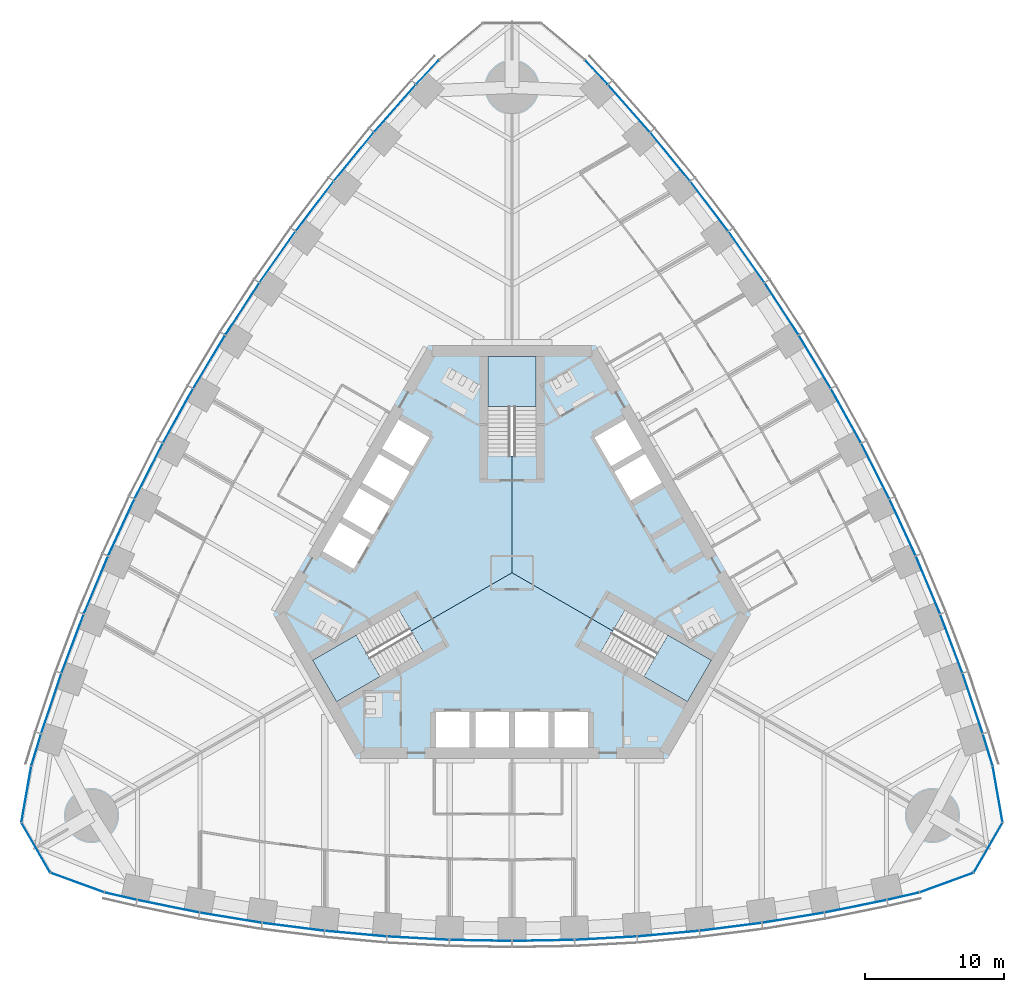
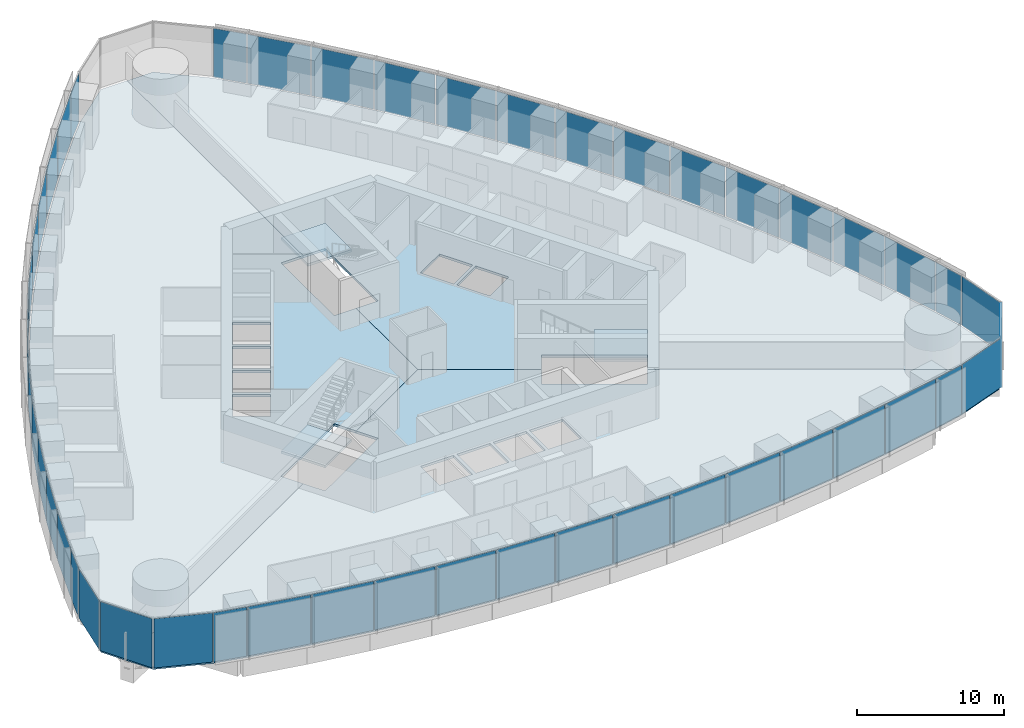
# One storey, part 9 of 18: 48 plates, 6 slabs, 8 elements without a shape of their own.
"""IFC4 building model written with IfcOpenShell, lengths in metres."""

from ifc_helpers import new_model, si_unit, direction, frame, origin, origin_2d, place, context, subcontext, project, spatial, polyline, rectangle, outline, extrude, material, layer, layer_set, type_object, element, aggregate, save


model = new_model("IFC4")

# Units and contexts
model_context = context("Model", 3, precision=1e-05, world=origin(), true_north=direction((0.0, 1.0)))
body_context = subcontext(model_context, "Body", "Model", "MODEL_VIEW")
ifc_project = project(units=[si_unit("LENGTHUNIT", "METRE"), si_unit("AREAUNIT", "SQUARE_METRE"), si_unit("VOLUMEUNIT", "CUBIC_METRE"), si_unit("PLANEANGLEUNIT", "RADIAN"), si_unit("MASSUNIT", "GRAM", prefix="KILO")], contexts=[model_context])

# Site, building, storey
site_placement = place(None, origin())
site = spatial("IfcSite", under=ifc_project, at=site_placement, CompositionType="ELEMENT")
building_placement = place(site_placement, origin())
building = spatial("IfcBuilding", under=site, at=building_placement, Name="Trefoil Bronze Tower", CompositionType="ELEMENT")
storey_placement = place(building_placement, frame((0.0, 0.0, 157.699951171875)))
storey = spatial("IfcBuildingStorey", under=building, at=storey_placement, Name="L36", CompositionType="ELEMENT", Elevation=157.699951171875)

# Curtain wall, plates
ifc_material_1 = material(Name="Tinted solar-control glass", Category="glass")
curtain_wall_type_1 = type_object("IfcCurtainWallType", Name="Bronze office curtain wall", PredefinedType="USERDEFINED", material=ifc_material_1)
curtain_wall_1_placement = place(storey_placement, origin())
curtain_wall_1 = element("IfcCurtainWall", 1, at=curtain_wall_1_placement, inside=storey, type_object=curtain_wall_type_1, Name="CW-A L36 F1", ObjectType="CURTAIN WALL", PredefinedType="USERDEFINED")
ifc_material_2 = material(Name="Tinted solar-control glass", Category="glass")
ifc_layer_1 = layer(ifc_material_2, 0.030029296875)
ifc_layer_set_1 = layer_set([ifc_layer_1], Name="Bronze office curtain wall glass panel")
plate_type_1 = type_object("IfcPlateType", Name="Bronze office curtain wall glass panel", PredefinedType="CURTAIN_PANEL", material=ifc_layer_set_1)
plate_1_placement = place(storey_placement, frame((-28.201416015625, -23.320068359375, 0.0), z_axis=(0.0, 0.0, 1.0), x_axis=(0.97420444715, -0.225667222151, 0.0)))
plate_1 = element("IfcPlate", 2, at=plate_1_placement, type_object=plate_type_1, Name="CW-A L36 F1 panel 1", PredefinedType="CURTAIN_PANEL", context=body_context, shape_type="SweptSolid", body=[
    extrude(rectangle(XDim=2.340087890625, YDim=0.030029296875, at=origin_2d()), origin(), (0.0, 0.0, 1.0), 4.080078125),
])
plate_2_placement = place(storey_placement, frame((-24.769775390625, -24.048828125, 0.0), z_axis=(0.0, 0.0, 1.0), x_axis=(0.980155155547, -0.198231861853, 0.0)))
plate_2 = element("IfcPlate", 3, at=plate_2_placement, type_object=plate_type_1, Name="CW-A L36 F1 panel 2", PredefinedType="CURTAIN_PANEL", context=body_context, shape_type="SweptSolid", body=[
    extrude(rectangle(XDim=4.51123046875, YDim=0.030029296875, at=origin_2d()), origin(), (0.0, 0.0, 1.0), 4.080078125),
])
plate_3_placement = place(storey_placement, frame((-20.26611328125, -24.87451171875, 0.0), z_axis=(0.0, 0.0, 1.0), x_axis=(0.986759655731, -0.162189339418, 0.0)))
plate_3 = element("IfcPlate", 4, at=plate_3_placement, type_object=plate_type_1, Name="CW-A L36 F1 panel 3", PredefinedType="CURTAIN_PANEL", context=body_context, shape_type="SweptSolid", body=[
    extrude(rectangle(XDim=4.48046875, YDim=0.030029296875, at=origin_2d()), origin(), (0.0, 0.0, 1.0), 4.080078125),
])
plate_4_placement = place(storey_placement, frame((-15.7626953125, -25.53076171875, 0.0), z_axis=(0.0, 0.0, 1.0), x_axis=(0.992011554286, -0.126147041833, 0.0)))
plate_4 = element("IfcPlate", 5, at=plate_4_placement, type_object=plate_type_1, Name="CW-A L36 F1 panel 4", PredefinedType="CURTAIN_PANEL", context=body_context, shape_type="SweptSolid", body=[
    extrude(rectangle(XDim=4.456298828125, YDim=0.030029296875, at=origin_2d()), origin(), (0.0, 0.0, 1.0), 4.080078125),
])
plate_5_placement = place(storey_placement, frame((-11.259033203125, -26.02099609375, 0.0), z_axis=(0.0, 0.0, 1.0), x_axis=(0.995932279146, -0.090104913044, 0.0)))
plate_5 = element("IfcPlate", 6, at=plate_5_placement, type_object=plate_type_1, Name="CW-A L36 F1 panel 5", PredefinedType="CURTAIN_PANEL", context=body_context, shape_type="SweptSolid", body=[
    extrude(rectangle(XDim=4.4384765625, YDim=0.030029296875, at=origin_2d()), origin(), (0.0, 0.0, 1.0), 4.080078125),
])
plate_6_placement = place(storey_placement, frame((-6.75537109375, -26.3466796875, 0.0), z_axis=(0.0, 0.0, 1.0), x_axis=(0.998537531923, -0.054062901701, 0.0)))
plate_6 = element("IfcPlate", 7, at=plate_6_placement, type_object=plate_type_1, Name="CW-A L36 F1 panel 6", PredefinedType="CURTAIN_PANEL", context=body_context, shape_type="SweptSolid", body=[
    extrude(rectangle(XDim=4.426513671875, YDim=0.030029296875, at=origin_2d()), origin(), (0.0, 0.0, 1.0), 4.080078125),
])
plate_7_placement = place(storey_placement, frame((-2.251708984375, -26.509033203125, 0.0), z_axis=(0.0, 0.0, 1.0), x_axis=(0.999837609322, -0.018020959612, 0.0)))
plate_7 = element("IfcPlate", 8, at=plate_7_placement, type_object=plate_type_1, Name="CW-A L36 F1 panel 7", PredefinedType="CURTAIN_PANEL", context=body_context, shape_type="SweptSolid", body=[
    extrude(rectangle(XDim=4.420654296875, YDim=0.030029296875, at=origin_2d()), origin(), (0.0, 0.0, 1.0), 4.080078125),
])
plate_8_placement = place(storey_placement, frame((2.251708984375, -26.509033203125, 0.0), z_axis=(0.0, 0.0, 1.0), x_axis=(0.999837609322, 0.018020959612, 0.0)))
plate_8 = element("IfcPlate", 9, at=plate_8_placement, type_object=plate_type_1, Name="CW-A L36 F1 panel 8", PredefinedType="CURTAIN_PANEL", context=body_context, shape_type="SweptSolid", body=[
    extrude(rectangle(XDim=4.420654296875, YDim=0.030029296875, at=origin_2d()), origin(), (0.0, 0.0, 1.0), 4.080078125),
])
plate_9_placement = place(storey_placement, frame((6.75537109375, -26.3466796875, 0.0), z_axis=(0.0, 0.0, 1.0), x_axis=(0.998537531923, 0.054062901701, 0.0)))
plate_9 = element("IfcPlate", 10, at=plate_9_placement, type_object=plate_type_1, Name="CW-A L36 F1 panel 9", PredefinedType="CURTAIN_PANEL", context=body_context, shape_type="SweptSolid", body=[
    extrude(rectangle(XDim=4.426513671875, YDim=0.030029296875, at=origin_2d()), origin(), (0.0, 0.0, 1.0), 4.080078125),
])
plate_10_placement = place(storey_placement, frame((11.259033203125, -26.02099609375, 0.0), z_axis=(0.0, 0.0, 1.0), x_axis=(0.995932279146, 0.090104913044, 0.0)))
plate_10 = element("IfcPlate", 11, at=plate_10_placement, type_object=plate_type_1, Name="CW-A L36 F1 panel 10", PredefinedType="CURTAIN_PANEL", context=body_context, shape_type="SweptSolid", body=[
    extrude(rectangle(XDim=4.4384765625, YDim=0.030029296875, at=origin_2d()), origin(), (0.0, 0.0, 1.0), 4.080078125),
])
plate_11_placement = place(storey_placement, frame((15.7626953125, -25.53076171875, 0.0), z_axis=(0.0, 0.0, 1.0), x_axis=(0.992011554286, 0.126147041833, 0.0)))
plate_11 = element("IfcPlate", 12, at=plate_11_placement, type_object=plate_type_1, Name="CW-A L36 F1 panel 11", PredefinedType="CURTAIN_PANEL", context=body_context, shape_type="SweptSolid", body=[
    extrude(rectangle(XDim=4.456298828125, YDim=0.030029296875, at=origin_2d()), origin(), (0.0, 0.0, 1.0), 4.080078125),
])
plate_12_placement = place(storey_placement, frame((20.26611328125, -24.87451171875, 0.0), z_axis=(0.0, 0.0, 1.0), x_axis=(0.986759655731, 0.162189339418, 0.0)))
plate_12 = element("IfcPlate", 13, at=plate_12_placement, type_object=plate_type_1, Name="CW-A L36 F1 panel 12", PredefinedType="CURTAIN_PANEL", context=body_context, shape_type="SweptSolid", body=[
    extrude(rectangle(XDim=4.48046875, YDim=0.030029296875, at=origin_2d()), origin(), (0.0, 0.0, 1.0), 4.080078125),
])
plate_13_placement = place(storey_placement, frame((24.769775390625, -24.048828125, 0.0), z_axis=(0.0, 0.0, 1.0), x_axis=(0.980155155547, 0.198231861853, 0.0)))
plate_13 = element("IfcPlate", 14, at=plate_13_placement, type_object=plate_type_1, Name="CW-A L36 F1 panel 13", PredefinedType="CURTAIN_PANEL", context=body_context, shape_type="SweptSolid", body=[
    extrude(rectangle(XDim=4.51123046875, YDim=0.030029296875, at=origin_2d()), origin(), (0.0, 0.0, 1.0), 4.080078125),
])
plate_14_placement = place(storey_placement, frame((28.201416015625, -23.320068359375, 0.0), z_axis=(0.0, 0.0, 1.0), x_axis=(0.97420444715, 0.225667222151, 0.0)))
plate_14 = element("IfcPlate", 15, at=plate_14_placement, type_object=plate_type_1, Name="CW-A L36 F1 panel 14", PredefinedType="CURTAIN_PANEL", context=body_context, shape_type="SweptSolid", body=[
    extrude(rectangle(XDim=2.340087890625, YDim=0.030029296875, at=origin_2d()), origin(), (0.0, 0.0, 1.0), 4.080078125),
])
aggregate(curtain_wall_1, [plate_1, plate_2, plate_3, plate_4, plate_5, plate_6, plate_7, plate_8, plate_9, plate_10, plate_11, plate_12, plate_13, plate_14])

curtain_wall_2_placement = place(storey_placement, origin())
curtain_wall_2 = element("IfcCurtainWall", 16, at=curtain_wall_2_placement, inside=storey, type_object=curtain_wall_type_1, Name="CW-A L36 F2", ObjectType="CURTAIN WALL", PredefinedType="USERDEFINED")
plate_15_placement = place(storey_placement, frame((34.296630859375, -12.762939453125, 0.0), z_axis=(0.0, 0.0, 1.0), x_axis=(-0.291668676391, 0.956519410787, 0.0)))
plate_15 = element("IfcPlate", 17, at=plate_15_placement, type_object=plate_type_1, Name="CW-A L36 F2 panel 1", PredefinedType="CURTAIN_PANEL", context=body_context, shape_type="SweptSolid", body=[
    extrude(rectangle(XDim=2.340087890625, YDim=0.030029296875, at=origin_2d()), origin(), (0.0, 0.0, 1.0), 4.080078125),
])
plate_16_placement = place(storey_placement, frame((33.2119140625, -9.4267578125, 0.0), z_axis=(0.0, 0.0, 1.0), x_axis=(-0.318403749569, 0.947955195281, 0.0)))
plate_16 = element("IfcPlate", 18, at=plate_16_placement, type_object=plate_type_1, Name="CW-A L36 F2 panel 2", PredefinedType="CURTAIN_PANEL", context=body_context, shape_type="SweptSolid", body=[
    extrude(rectangle(XDim=4.51123046875, YDim=0.030029296875, at=origin_2d()), origin(), (0.0, 0.0, 1.0), 4.080078125),
])
plate_17_placement = place(storey_placement, frame((31.675048828125, -5.11376953125, 0.0), z_axis=(0.0, 0.0, 1.0), x_axis=(-0.352919739707, 0.935653599002, 0.0)))
plate_17 = element("IfcPlate", 19, at=plate_17_placement, type_object=plate_type_1, Name="CW-A L36 F2 panel 3", PredefinedType="CURTAIN_PANEL", context=body_context, shape_type="SweptSolid", body=[
    extrude(rectangle(XDim=4.48046875, YDim=0.030029296875, at=origin_2d()), origin(), (0.0, 0.0, 1.0), 4.080078125),
])
plate_18_placement = place(storey_placement, frame((29.99169921875, -0.885498046875, 0.0), z_axis=(0.0, 0.0, 1.0), x_axis=(-0.386759234303, 0.922180727776, 0.0)))
plate_18 = element("IfcPlate", 20, at=plate_18_placement, type_object=plate_type_1, Name="CW-A L36 F2 panel 4", PredefinedType="CURTAIN_PANEL", context=body_context, shape_type="SweptSolid", body=[
    extrude(rectangle(XDim=4.456298828125, YDim=0.030029296875, at=origin_2d()), origin(), (0.0, 0.0, 1.0), 4.080078125),
])
plate_19_placement = place(storey_placement, frame((28.164306640625, 3.260009765625, 0.0), z_axis=(0.0, 0.0, 1.0), x_axis=(-0.419932995871, 0.907555110712, 0.0)))
plate_19 = element("IfcPlate", 21, at=plate_19_placement, type_object=plate_type_1, Name="CW-A L36 F2 panel 5", PredefinedType="CURTAIN_PANEL", context=body_context, shape_type="SweptSolid", body=[
    extrude(rectangle(XDim=4.4384765625, YDim=0.030029296875, at=origin_2d()), origin(), (0.0, 0.0, 1.0), 4.080078125),
])
plate_20_placement = place(storey_placement, frame((26.194580078125, 7.322998046875, 0.0), z_axis=(0.0, 0.0, 1.0), x_axis=(-0.452448919686, 0.891790320128, 0.0)))
plate_20 = element("IfcPlate", 22, at=plate_20_placement, type_object=plate_type_1, Name="CW-A L36 F2 panel 6", PredefinedType="CURTAIN_PANEL", context=body_context, shape_type="SweptSolid", body=[
    extrude(rectangle(XDim=4.426513671875, YDim=0.030029296875, at=origin_2d()), origin(), (0.0, 0.0, 1.0), 4.080078125),
])
plate_21_placement = place(storey_placement, frame((24.08349609375, 11.304443359375, 0.0), z_axis=(0.0, 0.0, 1.0), x_axis=(-0.484312195836, 0.874895249138, 0.0)))
plate_21 = element("IfcPlate", 23, at=plate_21_placement, type_object=plate_type_1, Name="CW-A L36 F2 panel 7", PredefinedType="CURTAIN_PANEL", context=body_context, shape_type="SweptSolid", body=[
    extrude(rectangle(XDim=4.420654296875, YDim=0.030029296875, at=origin_2d()), origin(), (0.0, 0.0, 1.0), 4.080078125),
])
plate_22_placement = place(storey_placement, frame((21.83154296875, 15.20458984375, 0.0), z_axis=(0.0, 0.0, 1.0), x_axis=(-0.515525413486, 0.856874289526, 0.0)))
plate_22 = element("IfcPlate", 24, at=plate_22_placement, type_object=plate_type_1, Name="CW-A L36 F2 panel 8", PredefinedType="CURTAIN_PANEL", context=body_context, shape_type="SweptSolid", body=[
    extrude(rectangle(XDim=4.420654296875, YDim=0.030029296875, at=origin_2d()), origin(), (0.0, 0.0, 1.0), 4.080078125),
])
plate_23_placement = place(storey_placement, frame((19.439208984375, 19.023681640625, 0.0), z_axis=(0.0, 0.0, 1.0), x_axis=(-0.546088612237, 0.837727418427, 0.0)))
plate_23 = element("IfcPlate", 25, at=plate_23_placement, type_object=plate_type_1, Name="CW-A L36 F2 panel 9", PredefinedType="CURTAIN_PANEL", context=body_context, shape_type="SweptSolid", body=[
    extrude(rectangle(XDim=4.426513671875, YDim=0.030029296875, at=origin_2d()), origin(), (0.0, 0.0, 1.0), 4.080078125),
])
plate_24_placement = place(storey_placement, frame((16.9052734375, 22.760986328125, 0.0), z_axis=(0.0, 0.0, 1.0), x_axis=(-0.575999283275, 0.817450197667, 0.0)))
plate_24 = element("IfcPlate", 26, at=plate_24_placement, type_object=plate_type_1, Name="CW-A L36 F2 panel 10", PredefinedType="CURTAIN_PANEL", context=body_context, shape_type="SweptSolid", body=[
    extrude(rectangle(XDim=4.4384765625, YDim=0.030029296875, at=origin_2d()), origin(), (0.0, 0.0, 1.0), 4.080078125),
])
plate_25_placement = place(storey_placement, frame((14.22900390625, 26.416259765625, 0.0), z_axis=(0.0, 0.0, 1.0), x_axis=(-0.605252319983, 0.796033685943, 0.0)))
plate_25 = element("IfcPlate", 27, at=plate_25_placement, type_object=plate_type_1, Name="CW-A L36 F2 panel 11", PredefinedType="CURTAIN_PANEL", context=body_context, shape_type="SweptSolid", body=[
    extrude(rectangle(XDim=4.456298828125, YDim=0.030029296875, at=origin_2d()), origin(), (0.0, 0.0, 1.0), 4.080078125),
])
plate_26_placement = place(storey_placement, frame((11.40869140625, 29.98828125, 0.0), z_axis=(0.0, 0.0, 1.0), x_axis=(-0.633839916024, 0.773464259584, 0.0)))
plate_26 = element("IfcPlate", 28, at=plate_26_placement, type_object=plate_type_1, Name="CW-A L36 F2 panel 12", PredefinedType="CURTAIN_PANEL", context=body_context, shape_type="SweptSolid", body=[
    extrude(rectangle(XDim=4.48046875, YDim=0.030029296875, at=origin_2d()), origin(), (0.0, 0.0, 1.0), 4.080078125),
])
plate_27_placement = place(storey_placement, frame((8.442138671875, 33.475830078125, 0.0), z_axis=(0.0, 0.0, 1.0), x_axis=(-0.661751405978, 0.749723333428, 0.0)))
plate_27 = element("IfcPlate", 29, at=plate_27_placement, type_object=plate_type_1, Name="CW-A L36 F2 panel 13", PredefinedType="CURTAIN_PANEL", context=body_context, shape_type="SweptSolid", body=[
    extrude(rectangle(XDim=4.51123046875, YDim=0.030029296875, at=origin_2d()), origin(), (0.0, 0.0, 1.0), 4.080078125),
])
plate_28_placement = place(storey_placement, frame((6.09521484375, 36.083251953125, 0.0), z_axis=(0.0, 0.0, 1.0), x_axis=(-0.682535770759, 0.730852188636, 0.0)))
plate_28 = element("IfcPlate", 30, at=plate_28_placement, type_object=plate_type_1, Name="CW-A L36 F2 panel 14", PredefinedType="CURTAIN_PANEL", context=body_context, shape_type="SweptSolid", body=[
    extrude(rectangle(XDim=2.340087890625, YDim=0.030029296875, at=origin_2d()), origin(), (0.0, 0.0, 1.0), 4.080078125),
])
aggregate(curtain_wall_2, [plate_15, plate_16, plate_17, plate_18, plate_19, plate_20, plate_21, plate_22, plate_23, plate_24, plate_25, plate_26, plate_27, plate_28])

curtain_wall_3_placement = place(storey_placement, origin())
curtain_wall_3 = element("IfcCurtainWall", 31, at=curtain_wall_3_placement, inside=storey, type_object=curtain_wall_type_1, Name="CW-A L36 F3", ObjectType="CURTAIN WALL", PredefinedType="USERDEFINED")
plate_29_placement = place(storey_placement, frame((-6.09521484375, 36.083251953125, 0.0), z_axis=(0.0, 0.0, 1.0), x_axis=(-0.682535770759, -0.730852188636, 0.0)))
plate_29 = element("IfcPlate", 32, at=plate_29_placement, type_object=plate_type_1, Name="CW-A L36 F3 panel 1", PredefinedType="CURTAIN_PANEL", context=body_context, shape_type="SweptSolid", body=[
    extrude(rectangle(XDim=2.340087890625, YDim=0.030029296875, at=origin_2d()), origin(), (0.0, 0.0, 1.0), 4.080078125),
])
plate_30_placement = place(storey_placement, frame((-8.442138671875, 33.475830078125, 0.0), z_axis=(0.0, 0.0, 1.0), x_axis=(-0.661751405978, -0.749723333428, 0.0)))
plate_30 = element("IfcPlate", 33, at=plate_30_placement, type_object=plate_type_1, Name="CW-A L36 F3 panel 2", PredefinedType="CURTAIN_PANEL", context=body_context, shape_type="SweptSolid", body=[
    extrude(rectangle(XDim=4.51123046875, YDim=0.030029296875, at=origin_2d()), origin(), (0.0, 0.0, 1.0), 4.080078125),
])
plate_31_placement = place(storey_placement, frame((-11.40869140625, 29.98828125, 0.0), z_axis=(0.0, 0.0, 1.0), x_axis=(-0.633839916024, -0.773464259584, 0.0)))
plate_31 = element("IfcPlate", 34, at=plate_31_placement, type_object=plate_type_1, Name="CW-A L36 F3 panel 3", PredefinedType="CURTAIN_PANEL", context=body_context, shape_type="SweptSolid", body=[
    extrude(rectangle(XDim=4.48046875, YDim=0.030029296875, at=origin_2d()), origin(), (0.0, 0.0, 1.0), 4.080078125),
])
plate_32_placement = place(storey_placement, frame((-14.22900390625, 26.416259765625, 0.0), z_axis=(0.0, 0.0, 1.0), x_axis=(-0.605252319983, -0.796033685943, 0.0)))
plate_32 = element("IfcPlate", 35, at=plate_32_placement, type_object=plate_type_1, Name="CW-A L36 F3 panel 4", PredefinedType="CURTAIN_PANEL", context=body_context, shape_type="SweptSolid", body=[
    extrude(rectangle(XDim=4.456298828125, YDim=0.030029296875, at=origin_2d()), origin(), (0.0, 0.0, 1.0), 4.080078125),
])
plate_33_placement = place(storey_placement, frame((-16.9052734375, 22.760986328125, 0.0), z_axis=(0.0, 0.0, 1.0), x_axis=(-0.575999283275, -0.817450197667, 0.0)))
plate_33 = element("IfcPlate", 36, at=plate_33_placement, type_object=plate_type_1, Name="CW-A L36 F3 panel 5", PredefinedType="CURTAIN_PANEL", context=body_context, shape_type="SweptSolid", body=[
    extrude(rectangle(XDim=4.4384765625, YDim=0.030029296875, at=origin_2d()), origin(), (0.0, 0.0, 1.0), 4.080078125),
])
plate_34_placement = place(storey_placement, frame((-19.439208984375, 19.023681640625, 0.0), z_axis=(0.0, 0.0, 1.0), x_axis=(-0.546088612237, -0.837727418427, 0.0)))
plate_34 = element("IfcPlate", 37, at=plate_34_placement, type_object=plate_type_1, Name="CW-A L36 F3 panel 6", PredefinedType="CURTAIN_PANEL", context=body_context, shape_type="SweptSolid", body=[
    extrude(rectangle(XDim=4.426513671875, YDim=0.030029296875, at=origin_2d()), origin(), (0.0, 0.0, 1.0), 4.080078125),
])
plate_35_placement = place(storey_placement, frame((-21.83154296875, 15.20458984375, 0.0), z_axis=(0.0, 0.0, 1.0), x_axis=(-0.515525413486, -0.856874289526, 0.0)))
plate_35 = element("IfcPlate", 38, at=plate_35_placement, type_object=plate_type_1, Name="CW-A L36 F3 panel 7", PredefinedType="CURTAIN_PANEL", context=body_context, shape_type="SweptSolid", body=[
    extrude(rectangle(XDim=4.420654296875, YDim=0.030029296875, at=origin_2d()), origin(), (0.0, 0.0, 1.0), 4.080078125),
])
plate_36_placement = place(storey_placement, frame((-24.08349609375, 11.304443359375, 0.0), z_axis=(0.0, 0.0, 1.0), x_axis=(-0.484312195836, -0.874895249138, 0.0)))
plate_36 = element("IfcPlate", 39, at=plate_36_placement, type_object=plate_type_1, Name="CW-A L36 F3 panel 8", PredefinedType="CURTAIN_PANEL", context=body_context, shape_type="SweptSolid", body=[
    extrude(rectangle(XDim=4.420654296875, YDim=0.030029296875, at=origin_2d()), origin(), (0.0, 0.0, 1.0), 4.080078125),
])
plate_37_placement = place(storey_placement, frame((-26.194580078125, 7.322998046875, 0.0), z_axis=(0.0, 0.0, 1.0), x_axis=(-0.452448919686, -0.891790320128, 0.0)))
plate_37 = element("IfcPlate", 40, at=plate_37_placement, type_object=plate_type_1, Name="CW-A L36 F3 panel 9", PredefinedType="CURTAIN_PANEL", context=body_context, shape_type="SweptSolid", body=[
    extrude(rectangle(XDim=4.426513671875, YDim=0.030029296875, at=origin_2d()), origin(), (0.0, 0.0, 1.0), 4.080078125),
])
plate_38_placement = place(storey_placement, frame((-28.164306640625, 3.260009765625, 0.0), z_axis=(0.0, 0.0, 1.0), x_axis=(-0.419932995871, -0.907555110712, 0.0)))
plate_38 = element("IfcPlate", 41, at=plate_38_placement, type_object=plate_type_1, Name="CW-A L36 F3 panel 10", PredefinedType="CURTAIN_PANEL", context=body_context, shape_type="SweptSolid", body=[
    extrude(rectangle(XDim=4.4384765625, YDim=0.030029296875, at=origin_2d()), origin(), (0.0, 0.0, 1.0), 4.080078125),
])
plate_39_placement = place(storey_placement, frame((-29.99169921875, -0.885498046875, 0.0), z_axis=(0.0, 0.0, 1.0), x_axis=(-0.386759234303, -0.922180727776, 0.0)))
plate_39 = element("IfcPlate", 42, at=plate_39_placement, type_object=plate_type_1, Name="CW-A L36 F3 panel 11", PredefinedType="CURTAIN_PANEL", context=body_context, shape_type="SweptSolid", body=[
    extrude(rectangle(XDim=4.456298828125, YDim=0.030029296875, at=origin_2d()), origin(), (0.0, 0.0, 1.0), 4.080078125),
])
plate_40_placement = place(storey_placement, frame((-31.675048828125, -5.11376953125, 0.0), z_axis=(0.0, 0.0, 1.0), x_axis=(-0.352919739707, -0.935653599002, 0.0)))
plate_40 = element("IfcPlate", 43, at=plate_40_placement, type_object=plate_type_1, Name="CW-A L36 F3 panel 12", PredefinedType="CURTAIN_PANEL", context=body_context, shape_type="SweptSolid", body=[
    extrude(rectangle(XDim=4.48046875, YDim=0.030029296875, at=origin_2d()), origin(), (0.0, 0.0, 1.0), 4.080078125),
])
plate_41_placement = place(storey_placement, frame((-33.2119140625, -9.4267578125, 0.0), z_axis=(0.0, 0.0, 1.0), x_axis=(-0.318403749569, -0.947955195281, 0.0)))
plate_41 = element("IfcPlate", 44, at=plate_41_placement, type_object=plate_type_1, Name="CW-A L36 F3 panel 13", PredefinedType="CURTAIN_PANEL", context=body_context, shape_type="SweptSolid", body=[
    extrude(rectangle(XDim=4.51123046875, YDim=0.030029296875, at=origin_2d()), origin(), (0.0, 0.0, 1.0), 4.080078125),
])
plate_42_placement = place(storey_placement, frame((-34.296630859375, -12.762939453125, 0.0), z_axis=(0.0, 0.0, 1.0), x_axis=(-0.291668676391, -0.956519410787, 0.0)))
plate_42 = element("IfcPlate", 45, at=plate_42_placement, type_object=plate_type_1, Name="CW-A L36 F3 panel 14", PredefinedType="CURTAIN_PANEL", context=body_context, shape_type="SweptSolid", body=[
    extrude(rectangle(XDim=2.340087890625, YDim=0.030029296875, at=origin_2d()), origin(), (0.0, 0.0, 1.0), 4.080078125),
])
aggregate(curtain_wall_3, [plate_29, plate_30, plate_31, plate_32, plate_33, plate_34, plate_35, plate_36, plate_37, plate_38, plate_39, plate_40, plate_41, plate_42])

ifc_material_3 = material(Name="Tinted solar-control glass", Category="glass")
curtain_wall_type_2 = type_object("IfcCurtainWallType", Name="Bronze rounded corner curtain wall", PredefinedType="USERDEFINED", material=ifc_material_3)
curtain_wall_4_placement = place(storey_placement, origin())
curtain_wall_4 = element("IfcCurtainWall", 46, at=curtain_wall_4_placement, inside=storey, type_object=curtain_wall_type_2, Name="CW-B L36 K1", ObjectType="CURTAIN WALL", PredefinedType="USERDEFINED")
ifc_material_4 = material(Name="Tinted solar-control glass", Category="glass")
ifc_layer_2 = layer(ifc_material_4, 0.030029296875)
ifc_layer_set_2 = layer_set([ifc_layer_2], Name="Bronze rounded corner curtain wall glass panel")
plate_type_2 = type_object("IfcPlateType", Name="Bronze rounded corner curtain wall glass panel", PredefinedType="CURTAIN_PANEL", material=ifc_layer_set_2)
plate_43_placement = place(storey_placement, frame((31.3203125, -22.341796875, 0.0), z_axis=(0.0, 0.0, 1.0), x_axis=(0.939692620786, 0.342020143326, 0.0)))
plate_43 = element("IfcPlate", 47, at=plate_43_placement, type_object=plate_type_2, Name="CW-B L36 K1 panel 1", PredefinedType="CURTAIN_PANEL", context=body_context, shape_type="SweptSolid", body=[
    extrude(rectangle(XDim=4.044189453125, YDim=0.030029296875, at=origin_2d()), origin(), (0.0, 0.0, 1.0), 4.080078125),
])
plate_44_placement = place(storey_placement, frame((34.3271484375, -19.81884765625, 0.0), z_axis=(0.0, 0.0, 1.0), x_axis=(0.5, 0.866025403784, 0.0)))
plate_44 = element("IfcPlate", 48, at=plate_44_placement, type_object=plate_type_2, Name="CW-B L36 K1 panel 2", PredefinedType="CURTAIN_PANEL", context=body_context, shape_type="SweptSolid", body=[
    extrude(rectangle(XDim=4.044189453125, YDim=0.030029296875, at=origin_2d()), origin(), (0.0, 0.0, 1.0), 4.080078125),
])
plate_45_placement = place(storey_placement, frame((35.0087890625, -15.953369140625, 0.0), z_axis=(0.0, 0.0, 1.0), x_axis=(-0.173648177667, 0.984807753012, 0.0)))
plate_45 = element("IfcPlate", 49, at=plate_45_placement, type_object=plate_type_2, Name="CW-B L36 K1 panel 3", PredefinedType="CURTAIN_PANEL", context=body_context, shape_type="SweptSolid", body=[
    extrude(rectangle(XDim=4.044189453125, YDim=0.030029296875, at=origin_2d()), origin(), (0.0, 0.0, 1.0), 4.080078125),
])
aggregate(curtain_wall_4, [plate_43, plate_44, plate_45])

curtain_wall_5_placement = place(storey_placement, origin())
curtain_wall_5 = element("IfcCurtainWall", 50, at=curtain_wall_5_placement, inside=storey, type_object=curtain_wall_type_2, Name="CW-B L36 K3", ObjectType="CURTAIN WALL", PredefinedType="USERDEFINED")
plate_46_placement = place(storey_placement, frame((-35.0087890625, -15.953369140625, 0.0), z_axis=(0.0, 0.0, 1.0), x_axis=(-0.173648177667, -0.984807753012, 0.0)))
plate_46 = element("IfcPlate", 51, at=plate_46_placement, type_object=plate_type_2, Name="CW-B L36 K3 panel 1", PredefinedType="CURTAIN_PANEL", context=body_context, shape_type="SweptSolid", body=[
    extrude(rectangle(XDim=4.044189453125, YDim=0.030029296875, at=origin_2d()), origin(), (0.0, 0.0, 1.0), 4.080078125),
])
plate_47_placement = place(storey_placement, frame((-34.3271484375, -19.81884765625, 0.0), z_axis=(0.0, 0.0, 1.0), x_axis=(0.5, -0.866025403784, 0.0)))
plate_47 = element("IfcPlate", 52, at=plate_47_placement, type_object=plate_type_2, Name="CW-B L36 K3 panel 2", PredefinedType="CURTAIN_PANEL", context=body_context, shape_type="SweptSolid", body=[
    extrude(rectangle(XDim=4.044189453125, YDim=0.030029296875, at=origin_2d()), origin(), (0.0, 0.0, 1.0), 4.080078125),
])
plate_48_placement = place(storey_placement, frame((-31.3203125, -22.341796875, 0.0), z_axis=(0.0, 0.0, 1.0), x_axis=(0.939692620786, -0.342020143326, 0.0)))
plate_48 = element("IfcPlate", 53, at=plate_48_placement, type_object=plate_type_2, Name="CW-B L36 K3 panel 3", PredefinedType="CURTAIN_PANEL", context=body_context, shape_type="SweptSolid", body=[
    extrude(rectangle(XDim=4.044189453125, YDim=0.030029296875, at=origin_2d()), origin(), (0.0, 0.0, 1.0), 4.080078125),
])
aggregate(curtain_wall_5, [plate_46, plate_47, plate_48])

# Slabs
ifc_material_5 = material(Name="Concrete B30", Category="concrete")
ifc_layer_3 = layer(ifc_material_5, 0.199951171875)
ifc_layer_set_3 = layer_set([ifc_layer_3], Name="Floor slab 200")
slab_type_1 = type_object("IfcSlabType", Name="Floor slab 200", PredefinedType="FLOOR", material=ifc_layer_set_3)
slab_1_placement = place(storey_placement, frame((0.0, 0.0, -0.199951171875)))
element("IfcSlab", 54, at=slab_1_placement, inside=storey, type_object=slab_type_1, Name="Floor slab L36 face 1", PredefinedType="FLOOR", context=body_context, shape_type="SweptSolid", body=[
    extrude(outline(polyline([(22.5, -24.406005859375), (18.0, -25.1455078125), (13.5, -25.7177734375), (9.0, -26.125), (4.5, -26.36865234375), (0.0, -26.44970703125), (-4.5, -26.36865234375), (-9.0, -26.125), (-13.5, -25.7177734375), (-18.0, -25.1455078125), (-22.5, -24.406005859375), (-27.0, -23.495849609375), (-29.357666015625, -22.94970703125), (-33.21435546875, -21.5458984375), (-34.240478515625, -19.768798828125), (-13.510009765625, -7.800048828125), (-12.6474609375, -9.2939453125), (-6.412109375, -5.69384765625), (-7.274658203125, -4.199951171875), (0.0, 0.0), (7.274658203125, -4.199951171875), (6.412109375, -5.69384765625), (12.6474609375, -9.2939453125), (13.510009765625, -7.800048828125), (34.240478515625, -19.768798828125), (33.21435546875, -21.5458984375), (29.357666015625, -22.94970703125), (27.0, -23.495849609375), (22.5, -24.406005859375)]), holes=[polyline([(-5.574951171875, -10.02490234375), (-2.97509765625, -10.02490234375), (-2.97509765625, -12.60009765625), (-5.574951171875, -12.60009765625), (-5.574951171875, -10.02490234375)]), polyline([(-2.72509765625, -10.02490234375), (-0.125, -10.02490234375), (-0.125, -12.60009765625), (-2.72509765625, -12.60009765625), (-2.72509765625, -10.02490234375)]), polyline([(0.125, -10.02490234375), (2.72509765625, -10.02490234375), (2.72509765625, -12.60009765625), (0.125, -12.60009765625), (0.125, -10.02490234375)]), polyline([(2.97509765625, -10.02490234375), (5.574951171875, -10.02490234375), (5.574951171875, -12.60009765625), (2.97509765625, -12.60009765625), (2.97509765625, -10.02490234375)])]), origin(), (0.0, 0.0, 1.0), 0.199951171875),
])
slab_2_placement = place(storey_placement, frame((0.0, 0.0, -0.199951171875)))
element("IfcSlab", 55, at=slab_2_placement, inside=storey, type_object=slab_type_1, Name="Floor slab L36 face 2", PredefinedType="FLOOR", context=body_context, shape_type="SweptSolid", body=[
    extrude(outline(polyline([(9.88623046875, 31.6884765625), (12.776611328125, 28.1611328125), (15.522216796875, 24.55029296875), (18.124755859375, 20.856689453125), (20.5859375, 17.081298828125), (22.906005859375, 13.224853515625), (25.0859375, 9.287109375), (27.124755859375, 5.268310546875), (29.022216796875, 1.16748046875), (30.776611328125, -3.015625), (32.38623046875, -7.28271484375), (33.847900390625, -11.634765625), (34.553955078125, -13.94970703125), (35.2666015625, -17.991455078125), (34.240478515625, -19.768798828125), (13.510009765625, -7.800048828125), (14.37255859375, -6.30615234375), (8.13720703125, -2.7060546875), (7.274658203125, -4.199951171875), (0.0, 0.0), (0.0, 8.39990234375), (1.72509765625, 8.39990234375), (1.72509765625, 15.60009765625), (0.0, 15.60009765625), (0.0, 39.53759765625), (2.052001953125, 39.53759765625), (5.196044921875, 36.8994140625), (6.847900390625, 35.130615234375), (9.88623046875, 31.6884765625)]), holes=[polyline([(8.619384765625, 5.120849609375), (7.3193359375, 7.372314453125), (9.54931640625, 8.659912109375), (10.849365234375, 6.408203125), (8.619384765625, 5.120849609375)]), polyline([(7.1943359375, 7.5888671875), (5.894287109375, 9.840576171875), (8.12451171875, 11.128173828125), (9.42431640625, 8.87646484375), (7.1943359375, 7.5888671875)])]), origin(), (0.0, 0.0, 1.0), 0.199951171875),
])
slab_3_placement = place(storey_placement, frame((0.0, 0.0, -0.199951171875)))
element("IfcSlab", 56, at=slab_3_placement, inside=storey, type_object=slab_type_1, Name="Floor slab L36 face 3", PredefinedType="FLOOR", context=body_context, shape_type="SweptSolid", body=[
    extrude(outline(polyline([(-32.38623046875, -7.28271484375), (-30.776611328125, -3.015625), (-29.022216796875, 1.16748046875), (-27.124755859375, 5.268310546875), (-25.0859375, 9.287109375), (-22.906005859375, 13.224853515625), (-20.5859375, 17.081298828125), (-18.124755859375, 20.856689453125), (-15.522216796875, 24.55029296875), (-12.776611328125, 28.1611328125), (-9.88623046875, 31.6884765625), (-6.847900390625, 35.130615234375), (-5.196044921875, 36.8994140625), (-2.052001953125, 39.53759765625), (0.0, 39.53759765625), (0.0, 15.60009765625), (-1.72509765625, 15.60009765625), (-1.72509765625, 8.39990234375), (0.0, 8.39990234375), (0.0, 0.0), (-7.274658203125, -4.199951171875), (-8.13720703125, -2.7060546875), (-14.37255859375, -6.30615234375), (-13.510009765625, -7.800048828125), (-34.240478515625, -19.768798828125), (-35.2666015625, -17.991455078125), (-34.553955078125, -13.94970703125), (-33.847900390625, -11.634765625), (-32.38623046875, -7.28271484375)]), holes=[polyline([(-5.894287109375, 9.840576171875), (-7.1943359375, 7.5888671875), (-9.42431640625, 8.87646484375), (-8.12451171875, 11.128173828125), (-5.894287109375, 9.840576171875)]), polyline([(-7.3193359375, 7.372314453125), (-8.619384765625, 5.120849609375), (-10.849365234375, 6.408203125), (-9.54931640625, 8.659912109375), (-7.3193359375, 7.372314453125)]), polyline([(-8.744384765625, 4.904296875), (-10.04443359375, 2.652587890625), (-12.2744140625, 3.940185546875), (-10.974365234375, 6.191650390625), (-8.744384765625, 4.904296875)]), polyline([(-10.16943359375, 2.43603515625), (-11.469482421875, 0.184326171875), (-13.699462890625, 1.471923828125), (-12.3994140625, 3.7236328125), (-10.16943359375, 2.43603515625)])]), origin(), (0.0, 0.0, 1.0), 0.199951171875),
])

# Stair, slab
ifc_material_6 = material(Name="Precast concrete B80", Category="concrete")
stair_type = type_object("IfcStairType", Name="Exit stair 26 risers", PredefinedType="HALF_TURN_STAIR", material=ifc_material_6)
stair_1_placement = place(storey_placement, origin())
stair_1 = element("IfcStair", 57, at=stair_1_placement, inside=storey, type_object=stair_type, Name="Stair ST1 L36", PredefinedType="HALF_TURN_STAIR")
ifc_material_7 = material(Name="Concrete B30", Category="concrete")
ifc_layer_4 = layer(ifc_material_7, 0.199951171875)
ifc_layer_set_4 = layer_set([ifc_layer_4], Name="Stair landing 200")
slab_type_2 = type_object("IfcSlabType", Name="Stair landing 200", PredefinedType="LANDING", material=ifc_layer_set_4)
slab_4_placement = place(storey_placement, frame((0.0, 0.0, 1.900146484375)))
slab_4 = element("IfcSlab", 58, at=slab_4_placement, type_object=slab_type_2, Name="ST1 landing 1", PredefinedType="LANDING", context=body_context, shape_type="SweptSolid", body=[
    extrude(outline(polyline([(9.512451171875, -7.48388671875), (12.6474609375, -9.2939453125), (14.37255859375, -6.30615234375), (11.237548828125, -4.49609375), (9.512451171875, -7.48388671875)])), origin(), (0.0, 0.0, 1.0), 0.199951171875),
])
aggregate(stair_1, [slab_4])

stair_2_placement = place(storey_placement, origin())
stair_2 = element("IfcStair", 59, at=stair_2_placement, inside=storey, type_object=stair_type, Name="Stair ST2 L36", PredefinedType="HALF_TURN_STAIR")
slab_5_placement = place(storey_placement, frame((0.0, 0.0, 1.900146484375)))
slab_5 = element("IfcSlab", 60, at=slab_5_placement, type_object=slab_type_2, Name="ST2 landing 1", PredefinedType="LANDING", context=body_context, shape_type="SweptSolid", body=[
    extrude(outline(polyline([(1.72509765625, 11.97998046875), (1.72509765625, 15.60009765625), (-1.72509765625, 15.60009765625), (-1.72509765625, 11.97998046875), (1.72509765625, 11.97998046875)])), origin(), (0.0, 0.0, 1.0), 0.199951171875),
])
aggregate(stair_2, [slab_5])

stair_3_placement = place(storey_placement, origin())
stair_3 = element("IfcStair", 61, at=stair_3_placement, inside=storey, type_object=stair_type, Name="Stair ST3 L36", PredefinedType="HALF_TURN_STAIR")
slab_6_placement = place(storey_placement, frame((0.0, 0.0, 1.900146484375)))
slab_6 = element("IfcSlab", 62, at=slab_6_placement, type_object=slab_type_2, Name="ST3 landing 1", PredefinedType="LANDING", context=body_context, shape_type="SweptSolid", body=[
    extrude(outline(polyline([(-11.237548828125, -4.49609375), (-14.37255859375, -6.30615234375), (-12.6474609375, -9.2939453125), (-9.512451171875, -7.48388671875), (-11.237548828125, -4.49609375)])), origin(), (0.0, 0.0, 1.0), 0.199951171875),
])
aggregate(stair_3, [slab_6])

save(model, "model.ifc")
